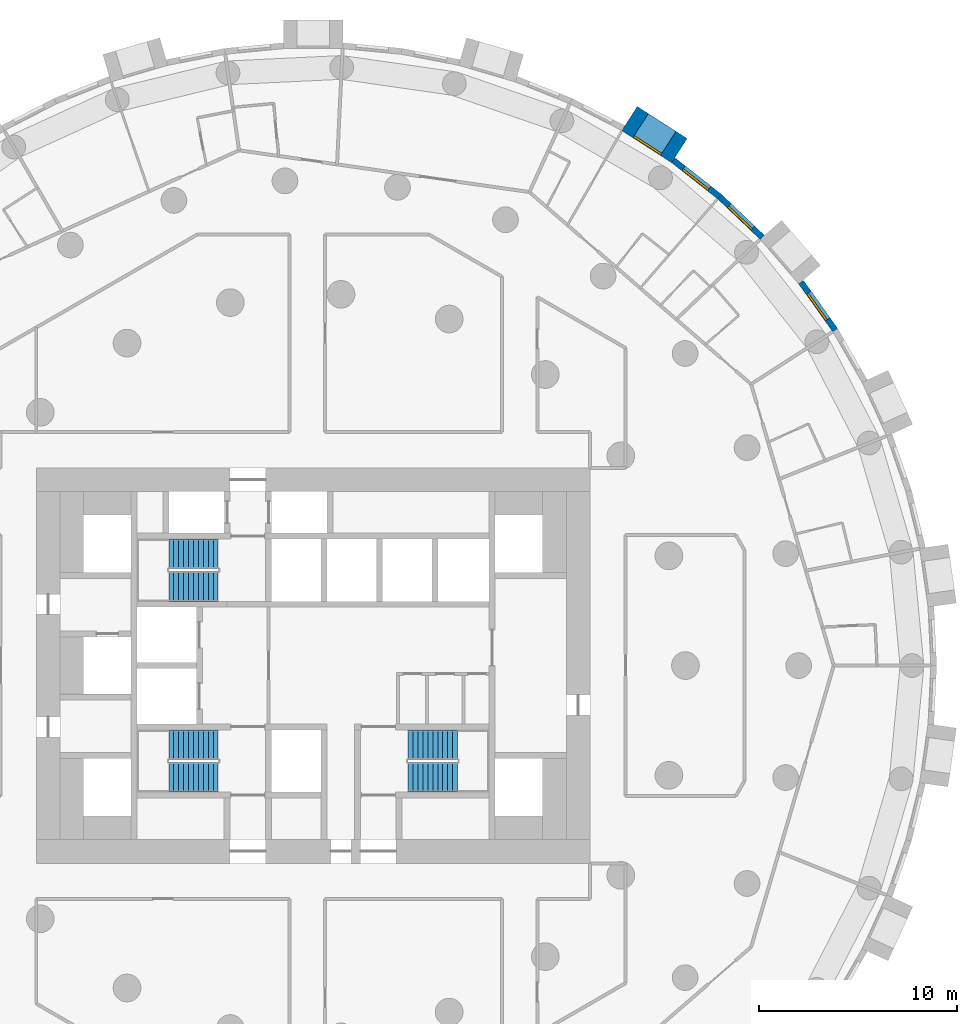
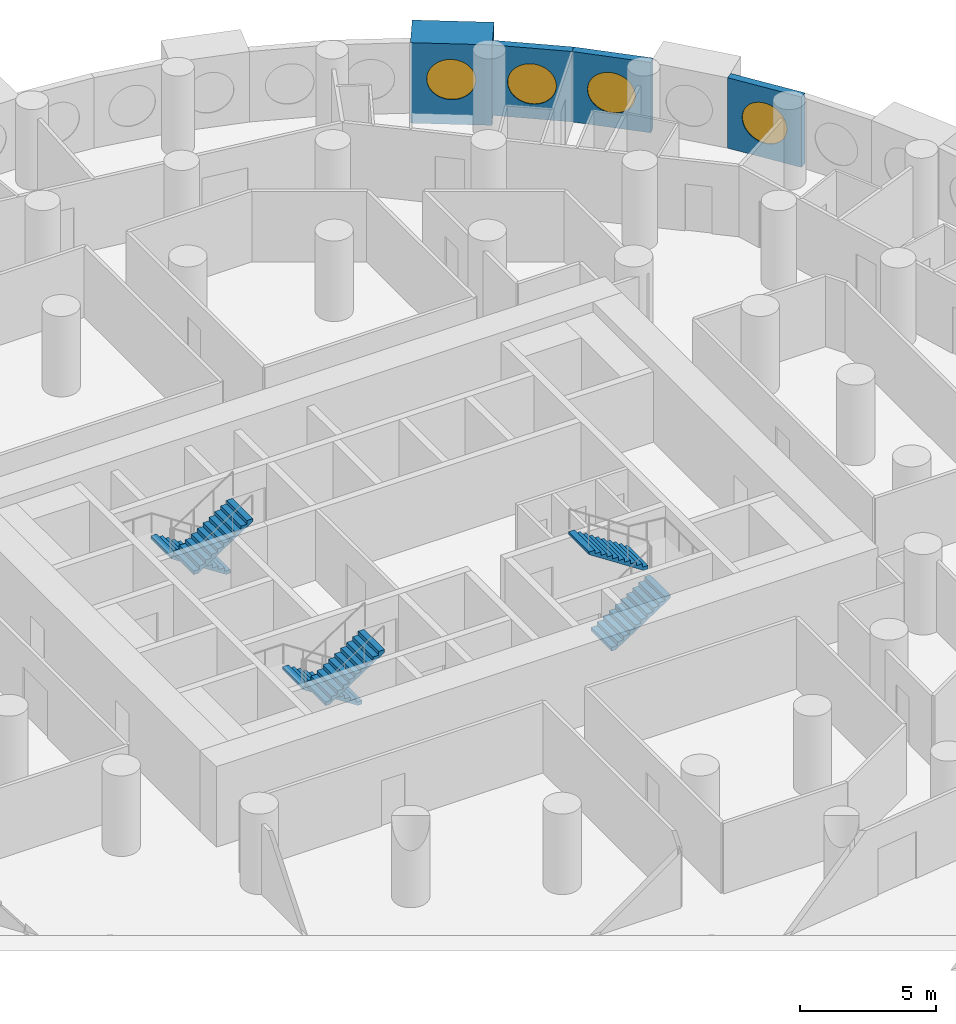
# One storey, part 11 of 12: 6 stair flights, 4 walls, 4 windows, 4 openings, 3 elements without a shape of their own.
"""IFC4 building model written with IfcOpenShell, lengths in metres."""

from ifc_helpers import new_model, si_unit, direction, frame, frame_2d, origin, origin_2d, place, context, subcontext, project, spatial, polyline, rectangle, circle, outline, extrude, material, layer, layer_set, type_object, element, fill, aggregate, save


model = new_model("IFC4")

# Units and contexts
model_context = context("Model", 3, precision=1e-05, world=origin(), true_north=direction((0.0, 1.0)))
body_context = subcontext(model_context, "Body", "Model", "MODEL_VIEW")
ifc_project = project(units=[si_unit("LENGTHUNIT", "METRE"), si_unit("AREAUNIT", "SQUARE_METRE"), si_unit("VOLUMEUNIT", "CUBIC_METRE"), si_unit("PLANEANGLEUNIT", "RADIAN"), si_unit("MASSUNIT", "GRAM", prefix="KILO")], contexts=[model_context])

# Site, building, storey
site_placement = place(None, origin())
site = spatial("IfcSite", under=ifc_project, at=site_placement, CompositionType="ELEMENT")
building_placement = place(site_placement, origin())
building = spatial("IfcBuilding", under=site, at=building_placement, Name="Tracery Tower", CompositionType="ELEMENT")
storey_placement = place(building_placement, frame((0.0, 0.0, 107.39990234375)))
storey = spatial("IfcBuildingStorey", under=building, at=storey_placement, Name="L27", CompositionType="ELEMENT", Elevation=107.39990234375)

# Wall, opening, window
ifc_material_1 = material(Name="Precast concrete C50/60", Category="concrete")
ifc_layer_1 = layer(ifc_material_1, 1.449951171875)
ifc_layer_set_1 = layer_set([ifc_layer_1], Name="Deep-set bay unit 3000 x 3600, slab edge 450")
wall_type_1 = type_object("IfcWallType", Name="Deep-set bay unit 3000 x 3600, slab edge 450", PredefinedType="ELEMENTEDWALL", material=ifc_layer_set_1)
wall_1_placement = place(storey_placement, frame((18.515869140625, 26.03662109375, -0.449951171875), z_axis=(0.0, 0.0, 1.0), x_axis=(-0.841223422347, 0.540687667415, 0.0)))
wall_1 = element("IfcWall", 1, at=wall_1_placement, inside=storey, type_object=wall_type_1, Name="Deep-set bay unit 11 at L27", PredefinedType="ELEMENTEDWALL", context=body_context, shape_type="SweptSolid", body=[
    extrude(rectangle(XDim=3.0, YDim=1.449951171875, at=frame_2d((1.5, 0.0))), origin(), (0.0, 0.0, 1.0), 3.60009765625),
])
opening_1_placement = place(wall_1_placement, frame((1.5, 0.0, 2.0)))
opening_1 = element("IfcOpeningElement", 2, at=opening_1_placement, cuts=wall_1, Name="Opening WN1", PredefinedType="OPENING", context=body_context, shape_type="SweptSolid", body=[
    extrude(circle(Radius=0.9000244140625, at=origin_2d()), frame((0.0, 0.73486328125, 0.0), z_axis=(0.0, -1.0, 0.0), x_axis=(1.0, 0.0, 0.0)), (0.0, 0.0, 1.0), 1.469970703125),
])
ifc_material_2 = material(Name="Aluminium frame with tinted double glazing", Category="aluminium")
window_type = type_object("IfcWindowType", Name="Round window 1800", PartitioningType="SINGLE_PANEL", PredefinedType="WINDOW", material=ifc_material_2)
window_1_placement = place(opening_1_placement, origin())
window_1 = element("IfcWindow", 3, at=window_1_placement, inside=storey, type_object=window_type, Name="Round window 11 at L27", OverallHeight=1.800048828125, OverallWidth=1.800048828125, PartitioningType="SINGLE_PANEL", PredefinedType="WINDOW", context=body_context, shape_type="SweptSolid", body=[
    extrude(circle(Radius=0.9000244140625, at=origin_2d()), frame((0.0, 0.69482421875, 0.0), z_axis=(0.0, -1.0, 0.0), x_axis=(1.0, 0.0, 0.0)), (0.0, 0.0, 1.0), 0.10009765625),
])
fill(opening_1, window_1)

ifc_material_3 = material(Name="Precast concrete C50/60", Category="concrete")
ifc_layer_2 = layer(ifc_material_3, 0.300048828125)
ifc_layer_set_2 = layer_set([ifc_layer_2], Name="Facade panel 3000 x 3150")
wall_type_2 = type_object("IfcWallType", Name="Facade panel 3000 x 3150", PredefinedType="SOLIDWALL", material=ifc_layer_set_2)
wall_2_placement = place(storey_placement, frame((26.393798828125, 16.96240234375, 0.0), z_axis=(0.0, 0.0, 1.0), x_axis=(-0.580059407678, 0.81457417315, 0.0)))
wall_2 = element("IfcWall", 4, at=wall_2_placement, inside=storey, type_object=wall_type_2, Name="Facade panel 7 at L27", PredefinedType="SOLIDWALL", context=body_context, shape_type="SweptSolid", body=[
    extrude(rectangle(XDim=2.9794921875, YDim=0.300048828125, at=frame_2d((1.48974609375, 0.0))), origin(), (0.0, 0.0, 1.0), 3.150146484375),
])
opening_2_placement = place(wall_2_placement, frame((1.48974609375, 0.0, 1.5498046875)))
opening_2 = element("IfcOpeningElement", 5, at=opening_2_placement, cuts=wall_2, Name="Opening WN1", PredefinedType="OPENING", context=body_context, shape_type="SweptSolid", body=[
    extrude(circle(Radius=0.9000244140625, at=origin_2d()), frame((0.0, 0.159912109375, 0.0), z_axis=(0.0, -1.0, 0.0), x_axis=(1.0, 0.0, 0.0)), (0.0, 0.0, 1.0), 0.320068359375),
])
window_2_placement = place(opening_2_placement, origin())
window_2 = element("IfcWindow", 6, at=window_2_placement, inside=storey, type_object=window_type, Name="Round window 7 at L27", OverallHeight=1.800048828125, OverallWidth=1.800048828125, PartitioningType="SINGLE_PANEL", PredefinedType="WINDOW", context=body_context, shape_type="SweptSolid", body=[
    extrude(circle(Radius=0.9000244140625, at=origin_2d()), frame((0.0, 0.1201171875, 0.0), z_axis=(0.0, -1.0, 0.0), x_axis=(1.0, 0.0, 0.0)), (0.0, 0.0, 1.0), 0.10009765625),
])
fill(opening_2, window_2)

wall_3_placement = place(storey_placement, frame((22.702392578125, 21.655029296875, 0.0), z_axis=(0.0, 0.0, 1.0), x_axis=(-0.723744206617, 0.690068346896, 0.0)))
wall_3 = element("IfcWall", 7, at=wall_3_placement, inside=storey, type_object=wall_type_2, Name="Facade panel 9 at L27", PredefinedType="SOLIDWALL", context=body_context, shape_type="SweptSolid", body=[
    extrude(rectangle(XDim=2.979736328125, YDim=0.300048828125, at=frame_2d((1.48974609375, 0.0))), origin(), (0.0, 0.0, 1.0), 3.150146484375),
])
opening_3_placement = place(wall_3_placement, frame((1.48974609375, 0.0, 1.5498046875)))
opening_3 = element("IfcOpeningElement", 8, at=opening_3_placement, cuts=wall_3, Name="Opening WN1", PredefinedType="OPENING", context=body_context, shape_type="SweptSolid", body=[
    extrude(circle(Radius=0.9000244140625, at=origin_2d()), frame((0.0, 0.159912109375, 0.0), z_axis=(0.0, -1.0, 0.0), x_axis=(1.0, 0.0, 0.0)), (0.0, 0.0, 1.0), 0.320068359375),
])
window_3_placement = place(opening_3_placement, origin())
window_3 = element("IfcWindow", 9, at=window_3_placement, inside=storey, type_object=window_type, Name="Round window 9 at L27", OverallHeight=1.800048828125, OverallWidth=1.800048828125, PartitioningType="SINGLE_PANEL", PredefinedType="WINDOW", context=body_context, shape_type="SweptSolid", body=[
    extrude(circle(Radius=0.9000244140625, at=origin_2d()), frame((0.0, 0.1201171875, 0.0), z_axis=(0.0, -1.0, 0.0), x_axis=(1.0, 0.0, 0.0)), (0.0, 0.0, 1.0), 0.10009765625),
])
fill(opening_3, window_3)

wall_4_placement = place(storey_placement, frame((20.5458984375, 23.711181640625, 0.0), z_axis=(0.0, 0.0, 1.0), x_axis=(-0.786045331304, 0.618168858108, 0.0)))
wall_4 = element("IfcWall", 10, at=wall_4_placement, inside=storey, type_object=wall_type_2, Name="Facade panel 10 at L27", PredefinedType="SOLIDWALL", context=body_context, shape_type="SweptSolid", body=[
    extrude(rectangle(XDim=2.979736328125, YDim=0.300048828125, at=frame_2d((1.48974609375, 0.0))), origin(), (0.0, 0.0, 1.0), 3.150146484375),
])
opening_4_placement = place(wall_4_placement, frame((1.48974609375, 0.0, 1.5498046875)))
opening_4 = element("IfcOpeningElement", 11, at=opening_4_placement, cuts=wall_4, Name="Opening WN1", PredefinedType="OPENING", context=body_context, shape_type="SweptSolid", body=[
    extrude(circle(Radius=0.9000244140625, at=origin_2d()), frame((0.0, 0.159912109375, 0.0), z_axis=(0.0, -1.0, 0.0), x_axis=(1.0, 0.0, 0.0)), (0.0, 0.0, 1.0), 0.320068359375),
])
window_4_placement = place(opening_4_placement, origin())
window_4 = element("IfcWindow", 12, at=window_4_placement, inside=storey, type_object=window_type, Name="Round window 10 at L27", OverallHeight=1.800048828125, OverallWidth=1.800048828125, PartitioningType="SINGLE_PANEL", PredefinedType="WINDOW", context=body_context, shape_type="SweptSolid", body=[
    extrude(circle(Radius=0.9000244140625, at=origin_2d()), frame((0.0, 0.1201171875, 0.0), z_axis=(0.0, -1.0, 0.0), x_axis=(1.0, 0.0, 0.0)), (0.0, 0.0, 1.0), 0.10009765625),
])
fill(opening_4, window_4)

# Stair, stair flights
ifc_material_4 = material(Name="Concrete C32/40", Category="concrete")
stair_type = type_object("IfcStairType", Name="Core stair 22 risers", PredefinedType="HALF_TURN_STAIR", material=ifc_material_4)
stair_1_placement = place(storey_placement, origin())
stair_1 = element("IfcStair", 13, at=stair_1_placement, inside=storey, type_object=stair_type, Name="L27 stair ST1", PredefinedType="HALF_TURN_STAIR")
ifc_material_5 = material(Name="Concrete C32/40", Category="concrete")
stair_flight_type = type_object("IfcStairFlightType", Name="Core stair flight 11 risers", PredefinedType="STRAIGHT", material=ifc_material_5)
stair_flight_1_placement = place(storey_placement, frame((-4.800048828125, -4.0, 0.0), z_axis=(0.0, 0.0, 1.0), x_axis=(-1.0, 0.0, 0.0)))
stair_flight_1 = element("IfcStairFlight", 14, at=stair_flight_1_placement, type_object=stair_flight_type, Name="ST1 flight 1", NumberOfRisers=11, NumberOfTreads=10, PredefinedType="STRAIGHT", RiserHeight=0.163636364, TreadLength=0.25, context=body_context, shape_type="SweptSolid", body=[
    extrude(outline(polyline([(0.0, 0.0), (0.0, 0.002685546875), (0.0, 0.00537109375), (0.0, 0.008056640625), (0.0, 0.0107421875), (0.0, 0.013427734375), (0.0, 0.01611328125), (0.0, 0.018798828125), (0.0, 0.021484375), (0.0, 0.024169921875), (0.0, 0.02685546875), (0.0, 0.029541015625), (0.0, 0.0322265625), (0.0, 0.034912109375), (0.0, 0.03759765625), (0.0, 0.040283203125), (0.0, 0.04296875), (0.0, 0.045654296875), (0.0, 0.04833984375), (0.0, 0.051025390625), (0.0, 0.0537109375), (0.0, 0.056396484375), (0.0, 0.05908203125), (0.0, 0.061767578125), (0.0, 0.064453125), (0.0, 0.067138671875), (0.0, 0.06982421875), (0.0, 0.072509765625), (0.0, 0.0751953125), (0.0, 0.077880859375), (0.0, 0.08056640625), (0.0, 0.083251953125), (0.0, 0.0859375), (0.0, 0.088623046875), (0.0, 0.09130859375), (0.0, 0.093994140625), (0.0, 0.0966796875), (0.0, 0.099365234375), (0.0, 0.10205078125), (0.0, 0.104736328125), (0.0, 0.107421875), (0.0, 0.10986328125), (0.0, 0.112548828125), (0.0, 0.115234375), (0.0, 0.117919921875), (0.0, 0.12060546875), (0.0, 0.123291015625), (0.0, 0.1259765625), (0.0, 0.128662109375), (0.0, 0.13134765625), (0.0, 0.134033203125), (0.0, 0.13671875), (0.0, 0.139404296875), (0.0, 0.14208984375), (0.0, 0.144775390625), (0.0, 0.1474609375), (0.0, 0.150146484375), (0.0, 0.15283203125), (0.0, 0.155517578125), (0.0, 0.158203125), (0.0, 0.160888671875), (0.0, 0.16357421875), (0.25, 0.16357421875), (0.25, 0.327392578125), (0.5, 0.327392578125), (0.5, 0.490966796875), (0.75, 0.490966796875), (0.75, 0.654541015625), (1.0, 0.654541015625), (1.0, 0.818115234375), (1.25, 0.818115234375), (1.25, 0.98193359375), (1.5, 0.98193359375), (1.5, 1.1455078125), (1.75, 1.1455078125), (1.75, 1.30908203125), (2.0, 1.30908203125), (2.0, 1.47265625), (2.25, 1.47265625), (2.25, 1.636474609375), (2.5, 1.636474609375), (2.5, 1.634521484375), (2.5, 1.63232421875), (2.5, 1.63037109375), (2.5, 1.62841796875), (2.5, 1.62646484375), (2.5, 1.62451171875), (2.5, 1.62255859375), (2.5, 1.62060546875), (2.5, 1.61865234375), (2.5, 1.61669921875), (2.5, 1.61474609375), (2.5, 1.61279296875), (2.5, 1.61083984375), (2.5, 1.60888671875), (2.5, 1.60693359375), (2.5, 1.60498046875), (2.5, 1.60302734375), (2.5, 1.60107421875), (2.5, 1.59912109375), (2.5, 1.59716796875), (2.5, 1.59521484375), (2.5, 1.59326171875), (2.5, 1.59130859375), (2.5, 1.58935546875), (2.5, 1.58740234375), (2.5, 1.58544921875), (2.5, 1.58349609375), (2.5, 1.58154296875), (2.5, 1.57958984375), (2.5, 1.57763671875), (2.5, 1.57568359375), (2.5, 1.573486328125), (2.5, 1.571533203125), (2.5, 1.569580078125), (2.5, 1.567626953125), (2.5, 1.565673828125), (2.5, 1.563720703125), (2.5, 1.561767578125), (2.5, 1.559814453125), (2.5, 1.557861328125), (2.5, 1.555908203125), (2.5, 1.553955078125), (2.5, 1.552001953125), (2.5, 1.550048828125), (2.5, 1.548095703125), (2.5, 1.546142578125), (2.5, 1.544189453125), (2.5, 1.542236328125), (2.5, 1.540283203125), (2.5, 1.538330078125), (2.5, 1.536376953125), (2.5, 1.534423828125), (2.5, 1.532470703125), (2.5, 1.530517578125), (2.5, 1.528564453125), (2.5, 1.526611328125), (2.5, 1.524658203125), (2.5, 1.522705078125), (2.5, 1.520751953125), (2.5, 1.518798828125), (2.5, 1.516845703125), (0.182861328125, 0.0), (0.0, 0.0)])), frame((0.0, 0.75, 0.0), z_axis=(0.0, -1.0, 0.0), x_axis=(1.0, 0.0, 0.0)), (0.0, 0.0, 1.0), 1.5),
])
stair_flight_2_placement = place(storey_placement, frame((-7.300048828125, -5.64990234375, 1.800048828125), z_axis=(0.0, 0.0, 1.0), x_axis=(1.0, 0.0, 0.0)))
stair_flight_2 = element("IfcStairFlight", 15, at=stair_flight_2_placement, type_object=stair_flight_type, Name="ST1 flight 2", NumberOfRisers=11, NumberOfTreads=10, PredefinedType="STRAIGHT", RiserHeight=0.163636364, TreadLength=0.25, context=body_context, shape_type="SweptSolid", body=[
    extrude(outline(polyline([(0.0, 0.0), (0.0, 0.002685546875), (0.0, 0.00537109375), (0.0, 0.008056640625), (0.0, 0.0107421875), (0.0, 0.013427734375), (0.0, 0.01611328125), (0.0, 0.018798828125), (0.0, 0.021484375), (0.0, 0.024169921875), (0.0, 0.02685546875), (0.0, 0.029541015625), (0.0, 0.0322265625), (0.0, 0.034912109375), (0.0, 0.03759765625), (0.0, 0.040283203125), (0.0, 0.04296875), (0.0, 0.045654296875), (0.0, 0.04833984375), (0.0, 0.051025390625), (0.0, 0.0537109375), (0.0, 0.056396484375), (0.0, 0.05908203125), (0.0, 0.061767578125), (0.0, 0.064453125), (0.0, 0.067138671875), (0.0, 0.06982421875), (0.0, 0.072509765625), (0.0, 0.0751953125), (0.0, 0.077880859375), (0.0, 0.08056640625), (0.0, 0.083251953125), (0.0, 0.0859375), (0.0, 0.088623046875), (0.0, 0.09130859375), (0.0, 0.093994140625), (0.0, 0.0966796875), (0.0, 0.099365234375), (0.0, 0.10205078125), (0.0, 0.104736328125), (0.0, 0.107421875), (0.0, 0.10986328125), (0.0, 0.112548828125), (0.0, 0.115234375), (0.0, 0.117919921875), (0.0, 0.12060546875), (0.0, 0.123291015625), (0.0, 0.1259765625), (0.0, 0.128662109375), (0.0, 0.13134765625), (0.0, 0.134033203125), (0.0, 0.13671875), (0.0, 0.139404296875), (0.0, 0.14208984375), (0.0, 0.144775390625), (0.0, 0.1474609375), (0.0, 0.150146484375), (0.0, 0.15283203125), (0.0, 0.155517578125), (0.0, 0.158203125), (0.0, 0.160888671875), (0.0, 0.16357421875), (0.25, 0.16357421875), (0.25, 0.327392578125), (0.5, 0.327392578125), (0.5, 0.490966796875), (0.75, 0.490966796875), (0.75, 0.654541015625), (1.0, 0.654541015625), (1.0, 0.818115234375), (1.25, 0.818115234375), (1.25, 0.98193359375), (1.5, 0.98193359375), (1.5, 1.1455078125), (1.75, 1.1455078125), (1.75, 1.30908203125), (2.0, 1.30908203125), (2.0, 1.47265625), (2.25, 1.47265625), (2.25, 1.636474609375), (2.5, 1.636474609375), (2.5, 1.634521484375), (2.5, 1.63232421875), (2.5, 1.63037109375), (2.5, 1.62841796875), (2.5, 1.62646484375), (2.5, 1.62451171875), (2.5, 1.62255859375), (2.5, 1.62060546875), (2.5, 1.61865234375), (2.5, 1.61669921875), (2.5, 1.61474609375), (2.5, 1.61279296875), (2.5, 1.61083984375), (2.5, 1.60888671875), (2.5, 1.60693359375), (2.5, 1.60498046875), (2.5, 1.60302734375), (2.5, 1.60107421875), (2.5, 1.59912109375), (2.5, 1.59716796875), (2.5, 1.59521484375), (2.5, 1.59326171875), (2.5, 1.59130859375), (2.5, 1.58935546875), (2.5, 1.58740234375), (2.5, 1.58544921875), (2.5, 1.58349609375), (2.5, 1.58154296875), (2.5, 1.57958984375), (2.5, 1.57763671875), (2.5, 1.57568359375), (2.5, 1.573486328125), (2.5, 1.571533203125), (2.5, 1.569580078125), (2.5, 1.567626953125), (2.5, 1.565673828125), (2.5, 1.563720703125), (2.5, 1.561767578125), (2.5, 1.559814453125), (2.5, 1.557861328125), (2.5, 1.555908203125), (2.5, 1.553955078125), (2.5, 1.552001953125), (2.5, 1.550048828125), (2.5, 1.548095703125), (2.5, 1.546142578125), (2.5, 1.544189453125), (2.5, 1.542236328125), (2.5, 1.540283203125), (2.5, 1.538330078125), (2.5, 1.536376953125), (2.5, 1.534423828125), (2.5, 1.532470703125), (2.5, 1.530517578125), (2.5, 1.528564453125), (2.5, 1.526611328125), (2.5, 1.524658203125), (2.5, 1.522705078125), (2.5, 1.520751953125), (2.5, 1.518798828125), (2.5, 1.516845703125), (0.182861328125, 0.0), (0.0, 0.0)])), frame((0.0, 0.75, 0.0), z_axis=(0.0, -1.0, 0.0), x_axis=(1.0, 0.0, 0.0)), (0.0, 0.0, 1.0), 1.5),
])
aggregate(stair_1, [stair_flight_1, stair_flight_2])

stair_2_placement = place(storey_placement, origin())
stair_2 = element("IfcStair", 16, at=stair_2_placement, inside=storey, type_object=stair_type, Name="L27 stair ST3", PredefinedType="HALF_TURN_STAIR")
stair_flight_3_placement = place(storey_placement, frame((-4.800048828125, 5.64990234375, 0.0), z_axis=(0.0, 0.0, 1.0), x_axis=(-1.0, 0.0, 0.0)))
stair_flight_3 = element("IfcStairFlight", 17, at=stair_flight_3_placement, type_object=stair_flight_type, Name="ST3 flight 1", NumberOfRisers=11, NumberOfTreads=10, PredefinedType="STRAIGHT", RiserHeight=0.163636364, TreadLength=0.25, context=body_context, shape_type="SweptSolid", body=[
    extrude(outline(polyline([(0.0, 0.0), (0.0, 0.002685546875), (0.0, 0.00537109375), (0.0, 0.008056640625), (0.0, 0.0107421875), (0.0, 0.013427734375), (0.0, 0.01611328125), (0.0, 0.018798828125), (0.0, 0.021484375), (0.0, 0.024169921875), (0.0, 0.02685546875), (0.0, 0.029541015625), (0.0, 0.0322265625), (0.0, 0.034912109375), (0.0, 0.03759765625), (0.0, 0.040283203125), (0.0, 0.04296875), (0.0, 0.045654296875), (0.0, 0.04833984375), (0.0, 0.051025390625), (0.0, 0.0537109375), (0.0, 0.056396484375), (0.0, 0.05908203125), (0.0, 0.061767578125), (0.0, 0.064453125), (0.0, 0.067138671875), (0.0, 0.06982421875), (0.0, 0.072509765625), (0.0, 0.0751953125), (0.0, 0.077880859375), (0.0, 0.08056640625), (0.0, 0.083251953125), (0.0, 0.0859375), (0.0, 0.088623046875), (0.0, 0.09130859375), (0.0, 0.093994140625), (0.0, 0.0966796875), (0.0, 0.099365234375), (0.0, 0.10205078125), (0.0, 0.104736328125), (0.0, 0.107421875), (0.0, 0.10986328125), (0.0, 0.112548828125), (0.0, 0.115234375), (0.0, 0.117919921875), (0.0, 0.12060546875), (0.0, 0.123291015625), (0.0, 0.1259765625), (0.0, 0.128662109375), (0.0, 0.13134765625), (0.0, 0.134033203125), (0.0, 0.13671875), (0.0, 0.139404296875), (0.0, 0.14208984375), (0.0, 0.144775390625), (0.0, 0.1474609375), (0.0, 0.150146484375), (0.0, 0.15283203125), (0.0, 0.155517578125), (0.0, 0.158203125), (0.0, 0.160888671875), (0.0, 0.16357421875), (0.25, 0.16357421875), (0.25, 0.327392578125), (0.5, 0.327392578125), (0.5, 0.490966796875), (0.75, 0.490966796875), (0.75, 0.654541015625), (1.0, 0.654541015625), (1.0, 0.818115234375), (1.25, 0.818115234375), (1.25, 0.98193359375), (1.5, 0.98193359375), (1.5, 1.1455078125), (1.75, 1.1455078125), (1.75, 1.30908203125), (2.0, 1.30908203125), (2.0, 1.47265625), (2.25, 1.47265625), (2.25, 1.636474609375), (2.5, 1.636474609375), (2.5, 1.634521484375), (2.5, 1.63232421875), (2.5, 1.63037109375), (2.5, 1.62841796875), (2.5, 1.62646484375), (2.5, 1.62451171875), (2.5, 1.62255859375), (2.5, 1.62060546875), (2.5, 1.61865234375), (2.5, 1.61669921875), (2.5, 1.61474609375), (2.5, 1.61279296875), (2.5, 1.61083984375), (2.5, 1.60888671875), (2.5, 1.60693359375), (2.5, 1.60498046875), (2.5, 1.60302734375), (2.5, 1.60107421875), (2.5, 1.59912109375), (2.5, 1.59716796875), (2.5, 1.59521484375), (2.5, 1.59326171875), (2.5, 1.59130859375), (2.5, 1.58935546875), (2.5, 1.58740234375), (2.5, 1.58544921875), (2.5, 1.58349609375), (2.5, 1.58154296875), (2.5, 1.57958984375), (2.5, 1.57763671875), (2.5, 1.57568359375), (2.5, 1.573486328125), (2.5, 1.571533203125), (2.5, 1.569580078125), (2.5, 1.567626953125), (2.5, 1.565673828125), (2.5, 1.563720703125), (2.5, 1.561767578125), (2.5, 1.559814453125), (2.5, 1.557861328125), (2.5, 1.555908203125), (2.5, 1.553955078125), (2.5, 1.552001953125), (2.5, 1.550048828125), (2.5, 1.548095703125), (2.5, 1.546142578125), (2.5, 1.544189453125), (2.5, 1.542236328125), (2.5, 1.540283203125), (2.5, 1.538330078125), (2.5, 1.536376953125), (2.5, 1.534423828125), (2.5, 1.532470703125), (2.5, 1.530517578125), (2.5, 1.528564453125), (2.5, 1.526611328125), (2.5, 1.524658203125), (2.5, 1.522705078125), (2.5, 1.520751953125), (2.5, 1.518798828125), (2.5, 1.516845703125), (0.182861328125, 0.0), (0.0, 0.0)])), frame((0.0, 0.75, 0.0), z_axis=(0.0, -1.0, 0.0), x_axis=(1.0, 0.0, 0.0)), (0.0, 0.0, 1.0), 1.5),
])
stair_flight_4_placement = place(storey_placement, frame((-7.300048828125, 4.0, 1.800048828125), z_axis=(0.0, 0.0, 1.0), x_axis=(1.0, 0.0, 0.0)))
stair_flight_4 = element("IfcStairFlight", 18, at=stair_flight_4_placement, type_object=stair_flight_type, Name="ST3 flight 2", NumberOfRisers=11, NumberOfTreads=10, PredefinedType="STRAIGHT", RiserHeight=0.163636364, TreadLength=0.25, context=body_context, shape_type="SweptSolid", body=[
    extrude(outline(polyline([(0.0, 0.0), (0.0, 0.002685546875), (0.0, 0.00537109375), (0.0, 0.008056640625), (0.0, 0.0107421875), (0.0, 0.013427734375), (0.0, 0.01611328125), (0.0, 0.018798828125), (0.0, 0.021484375), (0.0, 0.024169921875), (0.0, 0.02685546875), (0.0, 0.029541015625), (0.0, 0.0322265625), (0.0, 0.034912109375), (0.0, 0.03759765625), (0.0, 0.040283203125), (0.0, 0.04296875), (0.0, 0.045654296875), (0.0, 0.04833984375), (0.0, 0.051025390625), (0.0, 0.0537109375), (0.0, 0.056396484375), (0.0, 0.05908203125), (0.0, 0.061767578125), (0.0, 0.064453125), (0.0, 0.067138671875), (0.0, 0.06982421875), (0.0, 0.072509765625), (0.0, 0.0751953125), (0.0, 0.077880859375), (0.0, 0.08056640625), (0.0, 0.083251953125), (0.0, 0.0859375), (0.0, 0.088623046875), (0.0, 0.09130859375), (0.0, 0.093994140625), (0.0, 0.0966796875), (0.0, 0.099365234375), (0.0, 0.10205078125), (0.0, 0.104736328125), (0.0, 0.107421875), (0.0, 0.10986328125), (0.0, 0.112548828125), (0.0, 0.115234375), (0.0, 0.117919921875), (0.0, 0.12060546875), (0.0, 0.123291015625), (0.0, 0.1259765625), (0.0, 0.128662109375), (0.0, 0.13134765625), (0.0, 0.134033203125), (0.0, 0.13671875), (0.0, 0.139404296875), (0.0, 0.14208984375), (0.0, 0.144775390625), (0.0, 0.1474609375), (0.0, 0.150146484375), (0.0, 0.15283203125), (0.0, 0.155517578125), (0.0, 0.158203125), (0.0, 0.160888671875), (0.0, 0.16357421875), (0.25, 0.16357421875), (0.25, 0.327392578125), (0.5, 0.327392578125), (0.5, 0.490966796875), (0.75, 0.490966796875), (0.75, 0.654541015625), (1.0, 0.654541015625), (1.0, 0.818115234375), (1.25, 0.818115234375), (1.25, 0.98193359375), (1.5, 0.98193359375), (1.5, 1.1455078125), (1.75, 1.1455078125), (1.75, 1.30908203125), (2.0, 1.30908203125), (2.0, 1.47265625), (2.25, 1.47265625), (2.25, 1.636474609375), (2.5, 1.636474609375), (2.5, 1.634521484375), (2.5, 1.63232421875), (2.5, 1.63037109375), (2.5, 1.62841796875), (2.5, 1.62646484375), (2.5, 1.62451171875), (2.5, 1.62255859375), (2.5, 1.62060546875), (2.5, 1.61865234375), (2.5, 1.61669921875), (2.5, 1.61474609375), (2.5, 1.61279296875), (2.5, 1.61083984375), (2.5, 1.60888671875), (2.5, 1.60693359375), (2.5, 1.60498046875), (2.5, 1.60302734375), (2.5, 1.60107421875), (2.5, 1.59912109375), (2.5, 1.59716796875), (2.5, 1.59521484375), (2.5, 1.59326171875), (2.5, 1.59130859375), (2.5, 1.58935546875), (2.5, 1.58740234375), (2.5, 1.58544921875), (2.5, 1.58349609375), (2.5, 1.58154296875), (2.5, 1.57958984375), (2.5, 1.57763671875), (2.5, 1.57568359375), (2.5, 1.573486328125), (2.5, 1.571533203125), (2.5, 1.569580078125), (2.5, 1.567626953125), (2.5, 1.565673828125), (2.5, 1.563720703125), (2.5, 1.561767578125), (2.5, 1.559814453125), (2.5, 1.557861328125), (2.5, 1.555908203125), (2.5, 1.553955078125), (2.5, 1.552001953125), (2.5, 1.550048828125), (2.5, 1.548095703125), (2.5, 1.546142578125), (2.5, 1.544189453125), (2.5, 1.542236328125), (2.5, 1.540283203125), (2.5, 1.538330078125), (2.5, 1.536376953125), (2.5, 1.534423828125), (2.5, 1.532470703125), (2.5, 1.530517578125), (2.5, 1.528564453125), (2.5, 1.526611328125), (2.5, 1.524658203125), (2.5, 1.522705078125), (2.5, 1.520751953125), (2.5, 1.518798828125), (2.5, 1.516845703125), (0.182861328125, 0.0), (0.0, 0.0)])), frame((0.0, 0.75, 0.0), z_axis=(0.0, -1.0, 0.0), x_axis=(1.0, 0.0, 0.0)), (0.0, 0.0, 1.0), 1.5),
])
aggregate(stair_2, [stair_flight_3, stair_flight_4])

stair_3_placement = place(storey_placement, origin())
stair_3 = element("IfcStair", 19, at=stair_3_placement, inside=storey, type_object=stair_type, Name="L27 stair ST2", PredefinedType="HALF_TURN_STAIR")
stair_flight_5_placement = place(storey_placement, frame((4.800048828125, -5.64990234375, 0.0), z_axis=(0.0, 0.0, 1.0), x_axis=(1.0, 0.0, 0.0)))
stair_flight_5 = element("IfcStairFlight", 20, at=stair_flight_5_placement, type_object=stair_flight_type, Name="ST2 flight 1", NumberOfRisers=11, NumberOfTreads=10, PredefinedType="STRAIGHT", RiserHeight=0.163636364, TreadLength=0.25, context=body_context, shape_type="SweptSolid", body=[
    extrude(outline(polyline([(0.0, 0.0), (0.0, 0.002685546875), (0.0, 0.00537109375), (0.0, 0.008056640625), (0.0, 0.0107421875), (0.0, 0.013427734375), (0.0, 0.01611328125), (0.0, 0.018798828125), (0.0, 0.021484375), (0.0, 0.024169921875), (0.0, 0.02685546875), (0.0, 0.029541015625), (0.0, 0.0322265625), (0.0, 0.034912109375), (0.0, 0.03759765625), (0.0, 0.040283203125), (0.0, 0.04296875), (0.0, 0.045654296875), (0.0, 0.04833984375), (0.0, 0.051025390625), (0.0, 0.0537109375), (0.0, 0.056396484375), (0.0, 0.05908203125), (0.0, 0.061767578125), (0.0, 0.064453125), (0.0, 0.067138671875), (0.0, 0.06982421875), (0.0, 0.072509765625), (0.0, 0.0751953125), (0.0, 0.077880859375), (0.0, 0.08056640625), (0.0, 0.083251953125), (0.0, 0.0859375), (0.0, 0.088623046875), (0.0, 0.09130859375), (0.0, 0.093994140625), (0.0, 0.0966796875), (0.0, 0.099365234375), (0.0, 0.10205078125), (0.0, 0.104736328125), (0.0, 0.107421875), (0.0, 0.10986328125), (0.0, 0.112548828125), (0.0, 0.115234375), (0.0, 0.117919921875), (0.0, 0.12060546875), (0.0, 0.123291015625), (0.0, 0.1259765625), (0.0, 0.128662109375), (0.0, 0.13134765625), (0.0, 0.134033203125), (0.0, 0.13671875), (0.0, 0.139404296875), (0.0, 0.14208984375), (0.0, 0.144775390625), (0.0, 0.1474609375), (0.0, 0.150146484375), (0.0, 0.15283203125), (0.0, 0.155517578125), (0.0, 0.158203125), (0.0, 0.160888671875), (0.0, 0.16357421875), (0.25, 0.16357421875), (0.25, 0.327392578125), (0.5, 0.327392578125), (0.5, 0.490966796875), (0.75, 0.490966796875), (0.75, 0.654541015625), (1.0, 0.654541015625), (1.0, 0.818115234375), (1.25, 0.818115234375), (1.25, 0.98193359375), (1.5, 0.98193359375), (1.5, 1.1455078125), (1.75, 1.1455078125), (1.75, 1.30908203125), (2.0, 1.30908203125), (2.0, 1.47265625), (2.25, 1.47265625), (2.25, 1.636474609375), (2.5, 1.636474609375), (2.5, 1.634521484375), (2.5, 1.63232421875), (2.5, 1.63037109375), (2.5, 1.62841796875), (2.5, 1.62646484375), (2.5, 1.62451171875), (2.5, 1.62255859375), (2.5, 1.62060546875), (2.5, 1.61865234375), (2.5, 1.61669921875), (2.5, 1.61474609375), (2.5, 1.61279296875), (2.5, 1.61083984375), (2.5, 1.60888671875), (2.5, 1.60693359375), (2.5, 1.60498046875), (2.5, 1.60302734375), (2.5, 1.60107421875), (2.5, 1.59912109375), (2.5, 1.59716796875), (2.5, 1.59521484375), (2.5, 1.59326171875), (2.5, 1.59130859375), (2.5, 1.58935546875), (2.5, 1.58740234375), (2.5, 1.58544921875), (2.5, 1.58349609375), (2.5, 1.58154296875), (2.5, 1.57958984375), (2.5, 1.57763671875), (2.5, 1.57568359375), (2.5, 1.573486328125), (2.5, 1.571533203125), (2.5, 1.569580078125), (2.5, 1.567626953125), (2.5, 1.565673828125), (2.5, 1.563720703125), (2.5, 1.561767578125), (2.5, 1.559814453125), (2.5, 1.557861328125), (2.5, 1.555908203125), (2.5, 1.553955078125), (2.5, 1.552001953125), (2.5, 1.550048828125), (2.5, 1.548095703125), (2.5, 1.546142578125), (2.5, 1.544189453125), (2.5, 1.542236328125), (2.5, 1.540283203125), (2.5, 1.538330078125), (2.5, 1.536376953125), (2.5, 1.534423828125), (2.5, 1.532470703125), (2.5, 1.530517578125), (2.5, 1.528564453125), (2.5, 1.526611328125), (2.5, 1.524658203125), (2.5, 1.522705078125), (2.5, 1.520751953125), (2.5, 1.518798828125), (2.5, 1.516845703125), (0.182861328125, 0.0), (0.0, 0.0)])), frame((0.0, 0.75, 0.0), z_axis=(0.0, -1.0, 0.0), x_axis=(1.0, 0.0, 0.0)), (0.0, 0.0, 1.0), 1.5),
])
stair_flight_6_placement = place(storey_placement, frame((7.300048828125, -4.0, 1.800048828125), z_axis=(0.0, 0.0, 1.0), x_axis=(-1.0, 0.0, 0.0)))
stair_flight_6 = element("IfcStairFlight", 21, at=stair_flight_6_placement, type_object=stair_flight_type, Name="ST2 flight 2", NumberOfRisers=11, NumberOfTreads=10, PredefinedType="STRAIGHT", RiserHeight=0.163636364, TreadLength=0.25, context=body_context, shape_type="SweptSolid", body=[
    extrude(outline(polyline([(0.0, 0.0), (0.0, 0.002685546875), (0.0, 0.00537109375), (0.0, 0.008056640625), (0.0, 0.0107421875), (0.0, 0.013427734375), (0.0, 0.01611328125), (0.0, 0.018798828125), (0.0, 0.021484375), (0.0, 0.024169921875), (0.0, 0.02685546875), (0.0, 0.029541015625), (0.0, 0.0322265625), (0.0, 0.034912109375), (0.0, 0.03759765625), (0.0, 0.040283203125), (0.0, 0.04296875), (0.0, 0.045654296875), (0.0, 0.04833984375), (0.0, 0.051025390625), (0.0, 0.0537109375), (0.0, 0.056396484375), (0.0, 0.05908203125), (0.0, 0.061767578125), (0.0, 0.064453125), (0.0, 0.067138671875), (0.0, 0.06982421875), (0.0, 0.072509765625), (0.0, 0.0751953125), (0.0, 0.077880859375), (0.0, 0.08056640625), (0.0, 0.083251953125), (0.0, 0.0859375), (0.0, 0.088623046875), (0.0, 0.09130859375), (0.0, 0.093994140625), (0.0, 0.0966796875), (0.0, 0.099365234375), (0.0, 0.10205078125), (0.0, 0.104736328125), (0.0, 0.107421875), (0.0, 0.10986328125), (0.0, 0.112548828125), (0.0, 0.115234375), (0.0, 0.117919921875), (0.0, 0.12060546875), (0.0, 0.123291015625), (0.0, 0.1259765625), (0.0, 0.128662109375), (0.0, 0.13134765625), (0.0, 0.134033203125), (0.0, 0.13671875), (0.0, 0.139404296875), (0.0, 0.14208984375), (0.0, 0.144775390625), (0.0, 0.1474609375), (0.0, 0.150146484375), (0.0, 0.15283203125), (0.0, 0.155517578125), (0.0, 0.158203125), (0.0, 0.160888671875), (0.0, 0.16357421875), (0.25, 0.16357421875), (0.25, 0.327392578125), (0.5, 0.327392578125), (0.5, 0.490966796875), (0.75, 0.490966796875), (0.75, 0.654541015625), (1.0, 0.654541015625), (1.0, 0.818115234375), (1.25, 0.818115234375), (1.25, 0.98193359375), (1.5, 0.98193359375), (1.5, 1.1455078125), (1.75, 1.1455078125), (1.75, 1.30908203125), (2.0, 1.30908203125), (2.0, 1.47265625), (2.25, 1.47265625), (2.25, 1.636474609375), (2.5, 1.636474609375), (2.5, 1.634521484375), (2.5, 1.63232421875), (2.5, 1.63037109375), (2.5, 1.62841796875), (2.5, 1.62646484375), (2.5, 1.62451171875), (2.5, 1.62255859375), (2.5, 1.62060546875), (2.5, 1.61865234375), (2.5, 1.61669921875), (2.5, 1.61474609375), (2.5, 1.61279296875), (2.5, 1.61083984375), (2.5, 1.60888671875), (2.5, 1.60693359375), (2.5, 1.60498046875), (2.5, 1.60302734375), (2.5, 1.60107421875), (2.5, 1.59912109375), (2.5, 1.59716796875), (2.5, 1.59521484375), (2.5, 1.59326171875), (2.5, 1.59130859375), (2.5, 1.58935546875), (2.5, 1.58740234375), (2.5, 1.58544921875), (2.5, 1.58349609375), (2.5, 1.58154296875), (2.5, 1.57958984375), (2.5, 1.57763671875), (2.5, 1.57568359375), (2.5, 1.573486328125), (2.5, 1.571533203125), (2.5, 1.569580078125), (2.5, 1.567626953125), (2.5, 1.565673828125), (2.5, 1.563720703125), (2.5, 1.561767578125), (2.5, 1.559814453125), (2.5, 1.557861328125), (2.5, 1.555908203125), (2.5, 1.553955078125), (2.5, 1.552001953125), (2.5, 1.550048828125), (2.5, 1.548095703125), (2.5, 1.546142578125), (2.5, 1.544189453125), (2.5, 1.542236328125), (2.5, 1.540283203125), (2.5, 1.538330078125), (2.5, 1.536376953125), (2.5, 1.534423828125), (2.5, 1.532470703125), (2.5, 1.530517578125), (2.5, 1.528564453125), (2.5, 1.526611328125), (2.5, 1.524658203125), (2.5, 1.522705078125), (2.5, 1.520751953125), (2.5, 1.518798828125), (2.5, 1.516845703125), (0.182861328125, 0.0), (0.0, 0.0)])), frame((0.0, 0.75, 0.0), z_axis=(0.0, -1.0, 0.0), x_axis=(1.0, 0.0, 0.0)), (0.0, 0.0, 1.0), 1.5),
])
aggregate(stair_3, [stair_flight_5, stair_flight_6])

save(model, "model.ifc")
